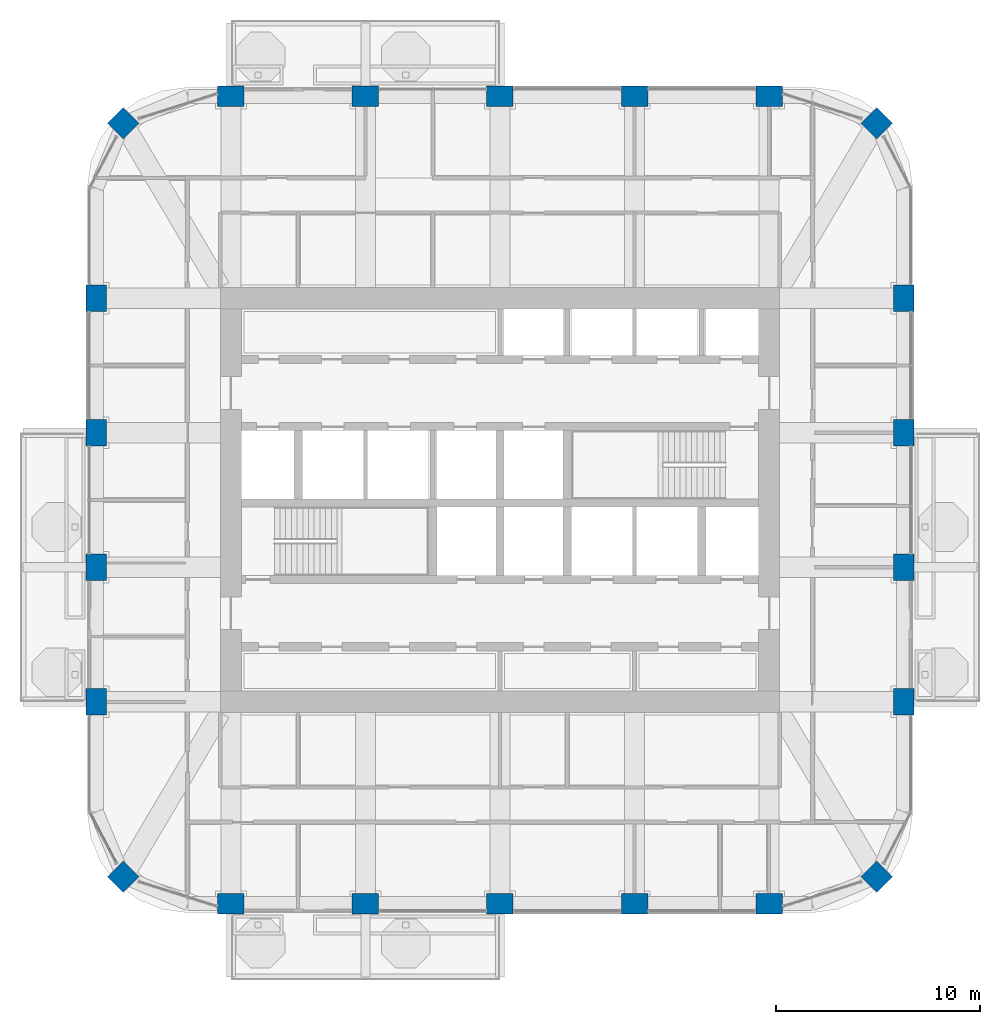
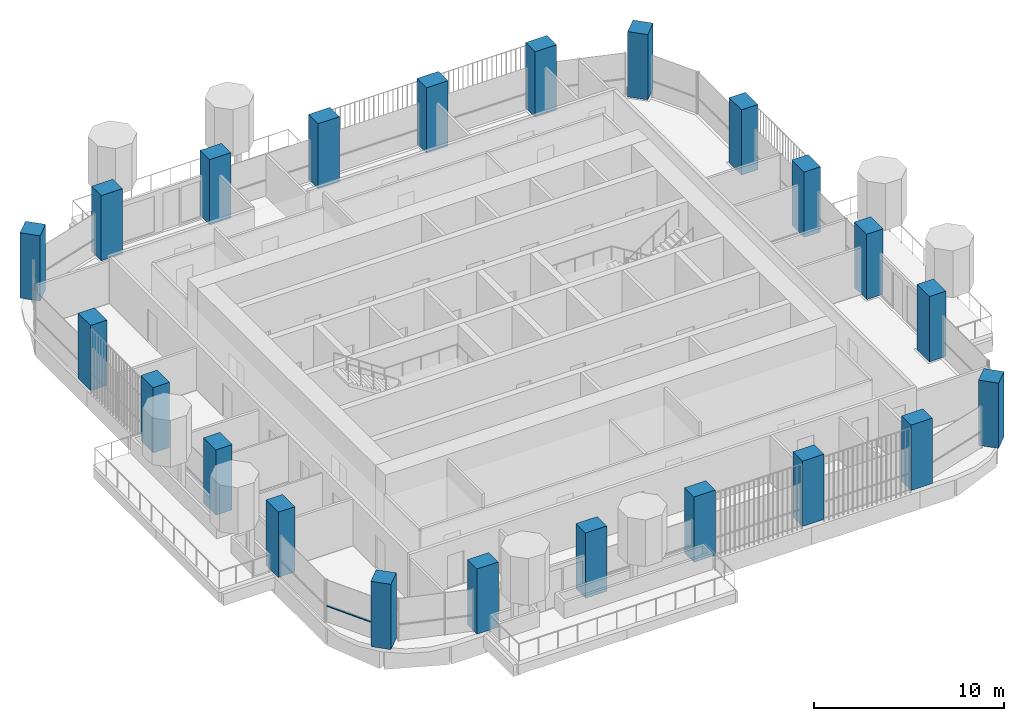
# One storey, part 1 of 19: 22 columns, 1 member, 1 element without a shape of its own.
"""IFC4 building model written with IfcOpenShell, lengths in metres."""

from ifc_helpers import new_model, si_unit, direction, frame, origin, origin_2d, place, context, subcontext, project, spatial, rectangle, extrude, material, material_profile, profile_set, type_object, element, aggregate, save


model = new_model("IFC4")

# Units and contexts
model_context = context("Model", 3, precision=1e-05, world=origin(), true_north=direction((0.0, 1.0)))
body_context = subcontext(model_context, "Body", "Model", "MODEL_VIEW")
ifc_project = project(units=[si_unit("LENGTHUNIT", "METRE"), si_unit("AREAUNIT", "SQUARE_METRE"), si_unit("VOLUMEUNIT", "CUBIC_METRE"), si_unit("PLANEANGLEUNIT", "RADIAN"), si_unit("MASSUNIT", "GRAM", prefix="KILO")], contexts=[model_context])

# Site, building, storey
site_placement = place(None, origin())
site = spatial("IfcSite", under=ifc_project, at=site_placement, CompositionType="ELEMENT")
building_placement = place(site_placement, origin())
building = spatial("IfcBuilding", under=site, at=building_placement, Name="Cobogo Forest Laboratory Tower", CompositionType="ELEMENT")
storey_placement = place(building_placement, frame((0.0, 0.0, 237.60009765625)))
storey = spatial("IfcBuildingStorey", under=building, at=storey_placement, Name="L54", CompositionType="ELEMENT", Elevation=237.60009765625)

# Columns
ifc_material_1 = material(Name="Concrete HA-50 (C50/60)", Category="concrete")
ifc_material_profile_1 = material_profile(ifc_material_1, rectangle(XDim=1.300048828125, YDim=1.0, at=origin_2d()), Name="RC 1000x1300")
ifc_profile_set_1 = profile_set([ifc_material_profile_1], Name="Concrete HA-50 (C50/60)")
column_type_1 = type_object("IfcColumnType", Name="Blade column 1000x1300", PredefinedType="COLUMN", material=ifc_profile_set_1)
for number, where, z_axis, x_axis, name in (
    (1, (13.199951171875, 3.300048828125, 0.0), (0.0, 0.0, 1.0), (1.0, 0.0, 0.0), "Column 3-A.1 L54"),
    (2, (19.800048828125, 3.300048828125, 0.0), (0.0, 0.0, 1.0), (1.0, 0.0, 0.0), "Column 4-A.1 L54"),
    (3, (26.39990234375, 3.300048828125, 0.0), (0.0, 0.0, 1.0), (1.0, 0.0, 0.0), "Column 5-A.1 L54"),
    (4, (33.0, 3.300048828125, 0.0), (0.0, 0.0, 1.0), (1.0, 0.0, 0.0), "Column 6-A.1 L54"),
    (5, (39.60009765625, 3.300048828125, 0.0), (0.0, 0.0, 1.0), (1.0, 0.0, 0.0), "Column 7-A.1 L54"),
    (6, (6.60009765625, 13.199951171875, 0.0), (0.0, 0.0, 1.0), (0.0, 1.0, 0.0), "Column 2-C L54"),
    (7, (46.199951171875, 13.199951171875, 0.0), (0.0, 0.0, 1.0), (0.0, 1.0, 0.0), "Column 8-C L54"),
    (8, (6.60009765625, 19.800048828125, 0.0), (0.0, 0.0, 1.0), (0.0, 1.0, 0.0), "Column 2-D L54"),
    (9, (46.199951171875, 19.800048828125, 0.0), (0.0, 0.0, 1.0), (0.0, 1.0, 0.0), "Column 8-D L54"),
    (10, (6.60009765625, 26.39990234375, 0.0), (0.0, 0.0, 1.0), (0.0, 1.0, 0.0), "Column 2-E L54"),
    (11, (46.199951171875, 26.39990234375, 0.0), (0.0, 0.0, 1.0), (0.0, 1.0, 0.0), "Column 8-E L54"),
    (12, (6.60009765625, 33.0, 0.0), (0.0, 0.0, 1.0), (0.0, 1.0, 0.0), "Column 2-F L54"),
    (13, (46.199951171875, 33.0, 0.0), (0.0, 0.0, 1.0), (0.0, 1.0, 0.0), "Column 8-F L54"),
    (14, (13.199951171875, 42.89990234375, 0.0), (0.0, 0.0, 1.0), (1.0, 0.0, 0.0), "Column 3-G.1 L54"),
    (15, (19.800048828125, 42.89990234375, 0.0), (0.0, 0.0, 1.0), (1.0, 0.0, 0.0), "Column 4-G.1 L54"),
    (16, (26.39990234375, 42.89990234375, 0.0), (0.0, 0.0, 1.0), (1.0, 0.0, 0.0), "Column 5-G.1 L54"),
    (17, (33.0, 42.89990234375, 0.0), (0.0, 0.0, 1.0), (1.0, 0.0, 0.0), "Column 6-G.1 L54"),
    (18, (39.60009765625, 42.89990234375, 0.0), (0.0, 0.0, 1.0), (1.0, 0.0, 0.0), "Column 7-G.1 L54"),
):
    element("IfcColumn", number, at=place(storey_placement, frame(where, z_axis=z_axis, x_axis=x_axis)), inside=storey, type_object=column_type_1, Name=name, PredefinedType="COLUMN", context=body_context, shape_type="SweptSolid", body=[
        extrude(rectangle(XDim=1.300048828125, YDim=1.0, at=origin_2d()), origin(), (0.0, 0.0, 1.0), 4.199951171875),
    ])
ifc_material_profile_2 = material_profile(ifc_material_1, rectangle(XDim=1.10009765625, YDim=1.10009765625, at=origin_2d()), Name="RC 1100x1100")
ifc_profile_set_2 = profile_set([ifc_material_profile_2], Name="Concrete HA-50 (C50/60)")
column_type_2 = type_object("IfcColumnType", Name="Column 1100x1100", PredefinedType="COLUMN", material=ifc_profile_set_2)
for number, where, z_axis, x_axis, name in (
    (19, (7.91796875, 4.617919921875, 0.0), (0.0, 0.0, 1.0), (0.707106781187, 0.707106781187, 0.0), "Column CNR-SW L54"),
    (20, (44.882080078125, 4.617919921875, 0.0), (0.0, 0.0, 1.0), (0.707106781187, 0.707106781187, 0.0), "Column CNR-SE L54"),
    (21, (7.91796875, 41.58203125, 0.0), (0.0, 0.0, 1.0), (0.707106781187, 0.707106781187, 0.0), "Column CNR-NW L54"),
    (22, (44.882080078125, 41.58203125, 0.0), (0.0, 0.0, 1.0), (0.707106781187, 0.707106781187, 0.0), "Column CNR-NE L54"),
):
    element("IfcColumn", number, at=place(storey_placement, frame(where, z_axis=z_axis, x_axis=x_axis)), inside=storey, type_object=column_type_2, Name=name, PredefinedType="COLUMN", context=body_context, shape_type="SweptSolid", body=[
        extrude(rectangle(XDim=1.10009765625, YDim=1.10009765625, at=origin_2d()), origin(), (0.0, 0.0, 1.0), 4.199951171875),
    ])

# Curtain wall, member
ifc_material_2 = material(Name="Aluminium curtain wall", Category="aluminium")
curtain_wall_type = type_object("IfcCurtainWallType", Name="CW-2 unitised curtain wall, solar control glazing, laboratory floors zones C and D", PredefinedType="USERDEFINED", material=ifc_material_2)
curtain_wall_placement = place(storey_placement, origin())
curtain_wall = element("IfcCurtainWall", 23, at=curtain_wall_placement, inside=storey, type_object=curtain_wall_type, Name="Curtain wall 25 L54", ObjectType="UNITISED CURTAIN WALL", PredefinedType="USERDEFINED")
ifc_material_3 = material(Name="Aluminium transom", Category="aluminium")
ifc_material_profile_3 = material_profile(ifc_material_3, rectangle(XDim=0.1201171875, YDim=0.06005859375, at=origin_2d()), Name="AL 60x120")
ifc_profile_set_3 = profile_set([ifc_material_profile_3], Name="Aluminium transom")
member_type = type_object("IfcMemberType", Name="TR-1 aluminium transom 60x120", PredefinedType="USERDEFINED", material=ifc_profile_set_3)
member_placement = place(storey_placement, frame((6.27783203125, 7.746826171875, 1.0498046875), z_axis=(0.464254846591, -0.88570166389, 0.0), x_axis=(0.88570166389, 0.464254846591, 0.0)))
member = element("IfcMember", 24, at=member_placement, type_object=member_type, Name="CW-2 transom 1.1", ObjectType="TRANSOM", PredefinedType="USERDEFINED", context=body_context, shape_type="SweptSolid", body=[
    extrude(rectangle(XDim=0.1201171875, YDim=0.06005859375, at=origin_2d()), origin(), (0.0, 0.0, 1.0), 2.76025390625),
])
aggregate(curtain_wall, [member])

save(model, "model.ifc")
